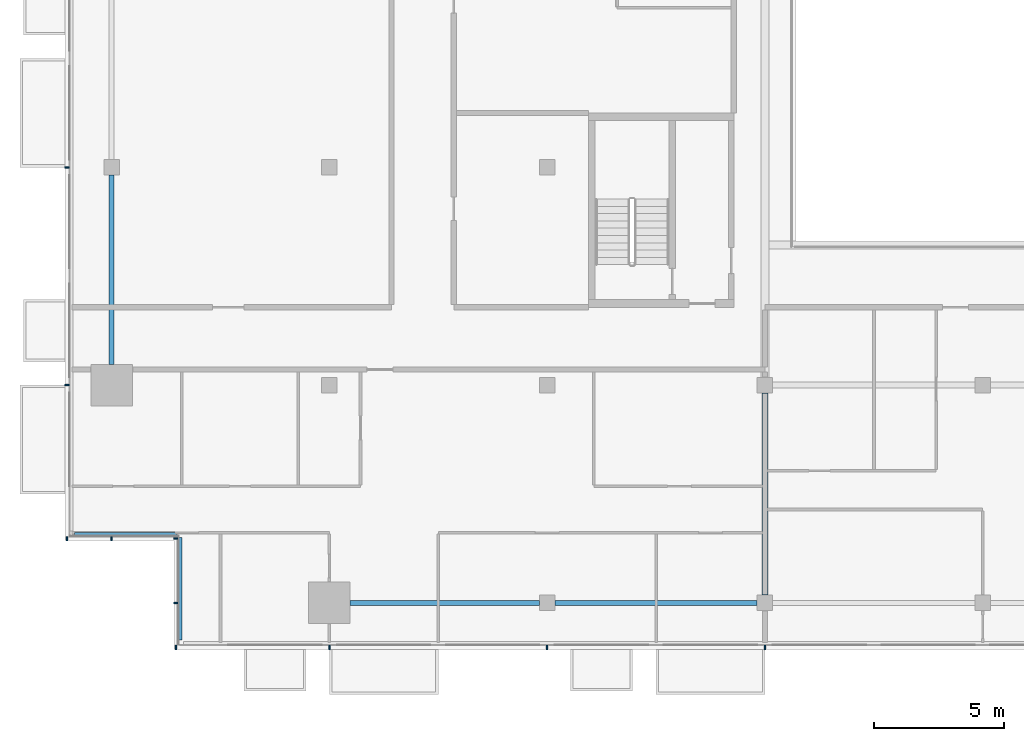
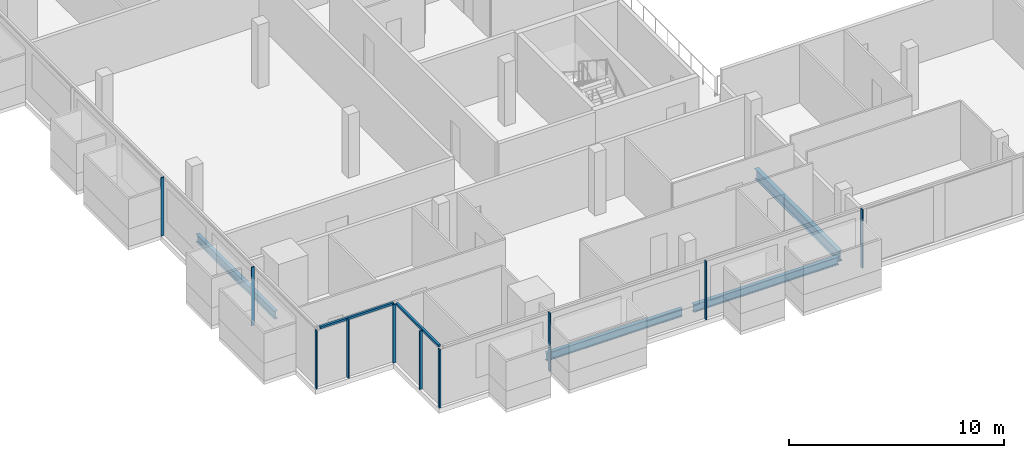
# One storey, part 2 of 27: 12 members, 4 beams, 4 elements without a shape of their own.
"""IFC4 building model written with IfcOpenShell, lengths in metres."""

from ifc_helpers import new_model, si_unit, direction, frame, origin, origin_2d, place, context, subcontext, project, spatial, rectangle, i_section, extrude, material, material_profile, profile_set, type_object, element, aggregate, save


model = new_model("IFC4")

# Units and contexts
model_context = context("Model", 3, precision=1e-05, world=origin(), true_north=direction((0.0, 1.0)))
body_context = subcontext(model_context, "Body", "Model", "MODEL_VIEW")
ifc_project = project(units=[si_unit("LENGTHUNIT", "METRE"), si_unit("AREAUNIT", "SQUARE_METRE"), si_unit("VOLUMEUNIT", "CUBIC_METRE"), si_unit("PLANEANGLEUNIT", "RADIAN"), si_unit("MASSUNIT", "GRAM", prefix="KILO")], contexts=[model_context])

# Site, building, storey
site_placement = place(None, origin())
site = spatial("IfcSite", under=ifc_project, at=site_placement, CompositionType="ELEMENT")
building_placement = place(site_placement, origin())
building = spatial("IfcBuilding", under=site, at=building_placement, Name="Saffron Gate Tower", CompositionType="ELEMENT")
storey_placement = place(building_placement, frame((0.0, 0.0, 212.699951171875)))
storey = spatial("IfcBuildingStorey", under=building, at=storey_placement, Name="L51", CompositionType="ELEMENT", Elevation=212.699951171875)

# Beams
ifc_material_1 = material(Name="Structural steel S355", Category="steel")
ifc_material_profile_1 = material_profile(ifc_material_1, i_section(OverallWidth=0.219970703125, OverallDepth=0.60009765625, WebThickness=0.011962890625, FlangeThickness=0.01904296875, FilletRadius=0.02392578125, at=origin_2d()))
ifc_profile_set_1 = profile_set([ifc_material_profile_1], Name="Structural steel S355")
beam_type_1 = type_object("IfcBeamType", Name="B15 IPE 600", PredefinedType="BEAM", material=ifc_profile_set_1)
beam_1_placement = place(storey_placement, frame((75.0, 32.10009765625, -0.579833984375), z_axis=(0.0, 1.0, 0.0), x_axis=(-1.0, 0.0, 0.0)))
element("IfcBeam", 1, at=beam_1_placement, inside=storey, type_object=beam_type_1, Name="B15 FLOOR GIRDER", PredefinedType="BEAM", context=body_context, shape_type="SweptSolid", body=[
    extrude(i_section(OverallWidth=0.219970703125, OverallDepth=0.60009765625, WebThickness=0.011962890625, FlangeThickness=0.01904296875, FilletRadius=0.02392578125, at=origin_2d()), origin(), (0.0, 0.0, 1.0), 7.7998046875),
])
ifc_material_profile_2 = material_profile(ifc_material_1, i_section(OverallWidth=0.18994140625, OverallDepth=0.449951171875, WebThickness=0.009521484375, FlangeThickness=0.0146484375, FilletRadius=0.02099609375, at=origin_2d()))
ifc_profile_set_2 = profile_set([ifc_material_profile_2], Name="Structural steel S355")
beam_type_2 = type_object("IfcBeamType", Name="B7 IPE 450", PredefinedType="SPANDREL", material=ifc_profile_set_2)
for number, where, z_axis, x_axis, name in (
    (2, (49.800048828125, 41.0, -0.5048828125), (0.0, 1.0, 0.0), (-1.0, 0.0, 0.0), "B7 SPANDREL BEAM"),
    (3, (59.0, 31.800048828125, -0.5048828125), (1.0, 0.0, 0.0), (0.0, 1.0, 0.0), "B7 SPANDREL BEAM"),
):
    element("IfcBeam", number, at=place(storey_placement, frame(where, z_axis=z_axis, x_axis=x_axis)), inside=storey, type_object=beam_type_2, Name=name, PredefinedType="SPANDREL", context=body_context, shape_type="SweptSolid", body=[
        extrude(i_section(OverallWidth=0.18994140625, OverallDepth=0.449951171875, WebThickness=0.009521484375, FlangeThickness=0.0146484375, FilletRadius=0.02099609375, at=origin_2d()), origin(), (0.0, 0.0, 1.0), 7.300048828125),
    ])
beam_2_placement = place(storey_placement, frame((66.89990234375, 31.800048828125, -0.5048828125), z_axis=(1.0, 0.0, 0.0), x_axis=(0.0, 1.0, 0.0)))
element("IfcBeam", 4, at=beam_2_placement, inside=storey, type_object=beam_type_2, Name="B7 SPANDREL BEAM", PredefinedType="SPANDREL", context=body_context, shape_type="SweptSolid", body=[
    extrude(i_section(OverallWidth=0.18994140625, OverallDepth=0.449951171875, WebThickness=0.009521484375, FlangeThickness=0.0146484375, FilletRadius=0.02099609375, at=origin_2d()), origin(), (0.0, 0.0, 1.0), 7.800048828125),
])

# Curtain wall, members
ifc_material_2 = material(Name="Aluminium, bronze anodised", Category="aluminium")
curtain_wall_type_1 = type_object("IfcCurtainWallType", Name="CWS1 curtain wall front facade", PredefinedType="NOTDEFINED", material=ifc_material_2)
curtain_wall_1_placement = place(storey_placement, origin())
curtain_wall_1 = element("IfcCurtainWall", 5, at=curtain_wall_1_placement, inside=storey, type_object=curtain_wall_type_1, Name="CWS1 run 1", PredefinedType="NOTDEFINED")
ifc_material_profile_3 = material_profile(ifc_material_2, rectangle(XDim=0.159912109375, YDim=0.06005859375, at=origin_2d()))
ifc_profile_set_3 = profile_set([ifc_material_profile_3], Name="Aluminium, bronze anodised")
member_type_1 = type_object("IfcMemberType", Name="CWS1 mullion 60x160", PredefinedType="MULLION", material=ifc_profile_set_3)
member_1_placement = place(storey_placement, frame((52.280029296875, 30.080078125, 0.0), z_axis=(0.0, 0.0, 1.0), x_axis=(0.0, 1.0, 0.0)))
member_1 = element("IfcMember", 6, at=member_1_placement, type_object=member_type_1, Name="CWS1 mullion 1", PredefinedType="MULLION", context=body_context, shape_type="SweptSolid", body=[
    extrude(rectangle(XDim=0.159912109375, YDim=0.06005859375, at=origin_2d()), origin(), (0.0, 0.0, 1.0), 3.320068359375),
])
member_2_placement = place(storey_placement, frame((58.199951171875, 30.080078125, 0.0), z_axis=(0.0, 0.0, 1.0), x_axis=(0.0, 1.0, 0.0)))
member_2 = element("IfcMember", 7, at=member_2_placement, type_object=member_type_1, Name="CWS1 mullion 2", PredefinedType="MULLION", context=body_context, shape_type="SweptSolid", body=[
    extrude(rectangle(XDim=0.159912109375, YDim=0.06005859375, at=origin_2d()), origin(), (0.0, 0.0, 1.0), 3.320068359375),
])
member_3_placement = place(storey_placement, frame((66.60009765625, 30.080078125, 0.0), z_axis=(0.0, 0.0, 1.0), x_axis=(0.0, 1.0, 0.0)))
member_3 = element("IfcMember", 8, at=member_3_placement, type_object=member_type_1, Name="CWS1 mullion 3", PredefinedType="MULLION", context=body_context, shape_type="SweptSolid", body=[
    extrude(rectangle(XDim=0.159912109375, YDim=0.06005859375, at=origin_2d()), origin(), (0.0, 0.0, 1.0), 3.320068359375),
])
member_4_placement = place(storey_placement, frame((75.0, 30.080078125, 0.0), z_axis=(0.0, 0.0, 1.0), x_axis=(0.0, 1.0, 0.0)))
member_4 = element("IfcMember", 9, at=member_4_placement, type_object=member_type_1, Name="CWS1 mullion 4", PredefinedType="MULLION", context=body_context, shape_type="SweptSolid", body=[
    extrude(rectangle(XDim=0.159912109375, YDim=0.06005859375, at=origin_2d()), origin(), (0.0, 0.0, 1.0), 3.320068359375),
])
aggregate(curtain_wall_1, [member_1, member_2, member_3, member_4])

curtain_wall_type_2 = type_object("IfcCurtainWallType", Name="CWS2 curtain wall side facades", PredefinedType="NOTDEFINED", material=ifc_material_2)
curtain_wall_2_placement = place(storey_placement, origin())
curtain_wall_2 = element("IfcCurtainWall", 10, at=curtain_wall_2_placement, inside=storey, type_object=curtain_wall_type_2, Name="CWS2 run 10", PredefinedType="NOTDEFINED")
ifc_material_profile_4 = material_profile(ifc_material_2, rectangle(XDim=0.159912109375, YDim=0.06005859375, at=origin_2d()))
ifc_profile_set_4 = profile_set([ifc_material_profile_4], Name="Aluminium, bronze anodised")
member_type_2 = type_object("IfcMemberType", Name="CWS2 mullion 60x160", PredefinedType="MULLION", material=ifc_profile_set_4)
member_5_placement = place(storey_placement, frame((48.080078125, 48.60009765625, 0.0), z_axis=(0.0, 0.0, 1.0), x_axis=(1.0, 0.0, 0.0)))
member_5 = element("IfcMember", 11, at=member_5_placement, type_object=member_type_2, Name="CWS2 mullion 4", PredefinedType="MULLION", context=body_context, shape_type="SweptSolid", body=[
    extrude(rectangle(XDim=0.159912109375, YDim=0.06005859375, at=origin_2d()), origin(), (0.0, 0.0, 1.0), 3.320068359375),
])
member_6_placement = place(storey_placement, frame((48.080078125, 40.199951171875, 0.0), z_axis=(0.0, 0.0, 1.0), x_axis=(1.0, 0.0, 0.0)))
member_6 = element("IfcMember", 12, at=member_6_placement, type_object=member_type_2, Name="CWS2 mullion 5", PredefinedType="MULLION", context=body_context, shape_type="SweptSolid", body=[
    extrude(rectangle(XDim=0.159912109375, YDim=0.06005859375, at=origin_2d()), origin(), (0.0, 0.0, 1.0), 3.320068359375),
])
aggregate(curtain_wall_2, [member_5, member_6])

# Curtain wall, member
curtain_wall_type_3 = type_object("IfcCurtainWallType", Name="CWS4 curtain wall corner returns", PredefinedType="NOTDEFINED", material=ifc_material_2)
curtain_wall_3_placement = place(storey_placement, origin())
curtain_wall_3 = element("IfcCurtainWall", 13, at=curtain_wall_3_placement, inside=storey, type_object=curtain_wall_type_3, Name="CWS4 run 11", PredefinedType="NOTDEFINED")
ifc_material_profile_5 = material_profile(ifc_material_2, rectangle(XDim=0.1201171875, YDim=0.1201171875, at=origin_2d()))
ifc_profile_set_5 = profile_set([ifc_material_profile_5], Name="Aluminium, bronze anodised")
member_type_3 = type_object("IfcMemberType", Name="CWS4 head transom", PredefinedType="USERDEFINED", material=ifc_profile_set_5)
member_7_placement = place(storey_placement, frame((48.367919921875, 34.447998046875, 3.260009765625), z_axis=(1.0, 0.0, 0.0), x_axis=(0.0, 1.0, 0.0)))
member_7 = element("IfcMember", 14, at=member_7_placement, type_object=member_type_3, Name="CWS4 head transom", ObjectType="TRANSOM", PredefinedType="USERDEFINED", context=body_context, shape_type="SweptSolid", body=[
    extrude(rectangle(XDim=0.1201171875, YDim=0.1201171875, at=origin_2d()), origin(), (0.0, 0.0, 1.0), 3.9599609375),
])

curtain_wall_4_placement = place(storey_placement, origin())
curtain_wall_4 = element("IfcCurtainWall", 15, at=curtain_wall_4_placement, inside=storey, type_object=curtain_wall_type_3, Name="CWS4 run 12", PredefinedType="NOTDEFINED")
member_8_placement = place(storey_placement, frame((52.447998046875, 34.327880859375, 3.260009765625), z_axis=(0.0, -1.0, 0.0), x_axis=(1.0, 0.0, 0.0)))
member_8 = element("IfcMember", 16, at=member_8_placement, type_object=member_type_3, Name="CWS4 head transom", ObjectType="TRANSOM", PredefinedType="USERDEFINED", context=body_context, shape_type="SweptSolid", body=[
    extrude(rectangle(XDim=0.1201171875, YDim=0.1201171875, at=origin_2d()), origin(), (0.0, 0.0, 1.0), 3.9599609375),
])

# Member
ifc_material_profile_6 = material_profile(ifc_material_2, rectangle(XDim=0.159912109375, YDim=0.06005859375, at=origin_2d()))
ifc_profile_set_6 = profile_set([ifc_material_profile_6], Name="Aluminium, bronze anodised")
member_type_4 = type_object("IfcMemberType", Name="CWS4 mullion 60x160", PredefinedType="MULLION", material=ifc_profile_set_6)
member_9_placement = place(storey_placement, frame((48.080078125, 34.280029296875, 0.0), z_axis=(0.0, 0.0, 1.0), x_axis=(0.0, 1.0, 0.0)))
member_9 = element("IfcMember", 17, at=member_9_placement, type_object=member_type_4, Name="CWS4 mullion 1", PredefinedType="MULLION", context=body_context, shape_type="SweptSolid", body=[
    extrude(rectangle(XDim=0.159912109375, YDim=0.06005859375, at=origin_2d()), origin(), (0.0, 0.0, 1.0), 3.320068359375),
])

member_10_placement = place(storey_placement, frame((49.800048828125, 34.280029296875, 0.0), z_axis=(0.0, 0.0, 1.0), x_axis=(0.0, 1.0, 0.0)))
member_10 = element("IfcMember", 18, at=member_10_placement, type_object=member_type_4, Name="CWS4 mullion 2", PredefinedType="MULLION", context=body_context, shape_type="SweptSolid", body=[
    extrude(rectangle(XDim=0.159912109375, YDim=0.06005859375, at=origin_2d()), origin(), (0.0, 0.0, 1.0), 3.320068359375),
])

aggregate(curtain_wall_3, [member_9, member_10, member_7])

member_11_placement = place(storey_placement, frame((52.280029296875, 34.280029296875, 0.0), z_axis=(0.0, 0.0, 1.0), x_axis=(1.0, 0.0, 0.0)))
member_11 = element("IfcMember", 19, at=member_11_placement, type_object=member_type_4, Name="CWS4 mullion 1", PredefinedType="MULLION", context=body_context, shape_type="SweptSolid", body=[
    extrude(rectangle(XDim=0.159912109375, YDim=0.06005859375, at=origin_2d()), origin(), (0.0, 0.0, 1.0), 3.320068359375),
])

member_12_placement = place(storey_placement, frame((52.280029296875, 31.800048828125, 0.0), z_axis=(0.0, 0.0, 1.0), x_axis=(1.0, 0.0, 0.0)))
member_12 = element("IfcMember", 20, at=member_12_placement, type_object=member_type_4, Name="CWS4 mullion 2", PredefinedType="MULLION", context=body_context, shape_type="SweptSolid", body=[
    extrude(rectangle(XDim=0.159912109375, YDim=0.06005859375, at=origin_2d()), origin(), (0.0, 0.0, 1.0), 3.320068359375),
])

aggregate(curtain_wall_4, [member_11, member_12, member_8])

save(model, "model.ifc")
